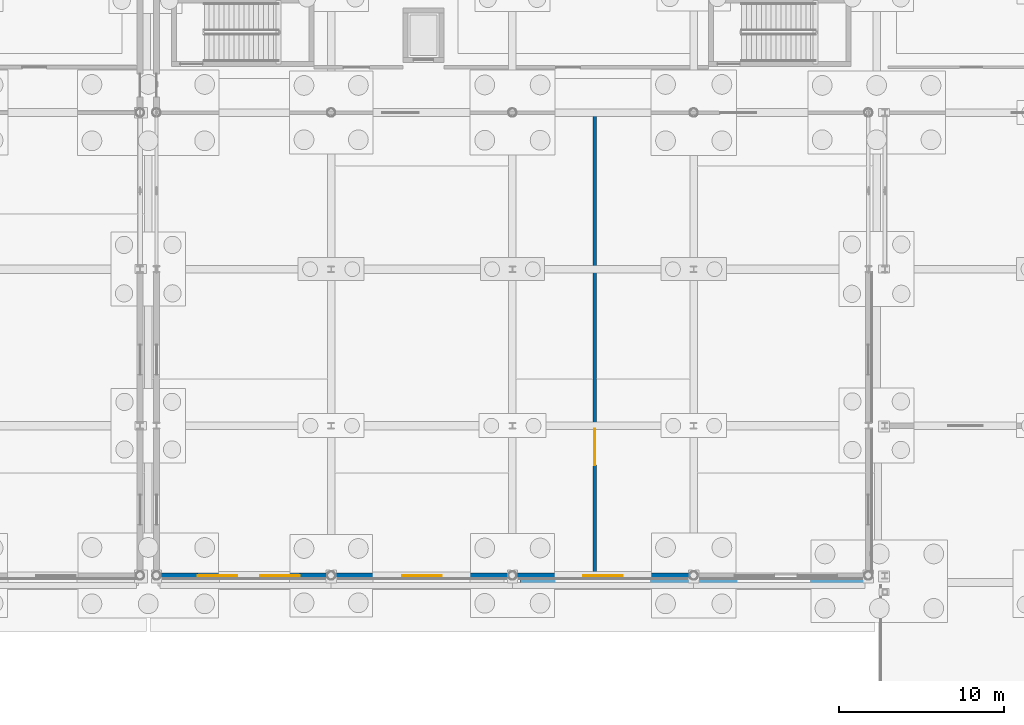
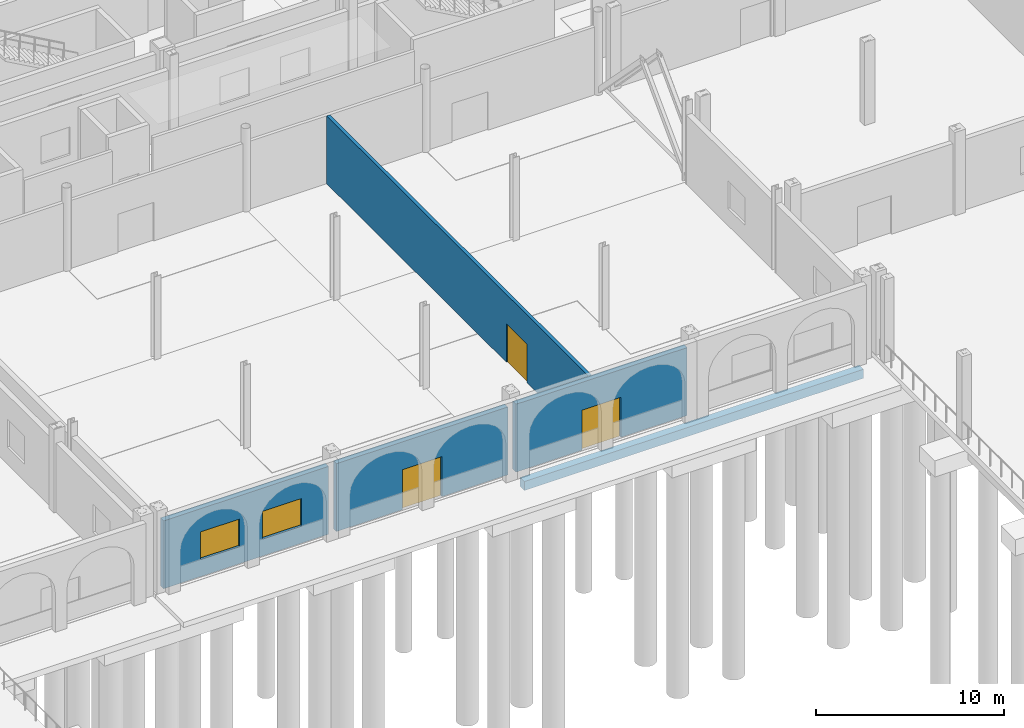
# One storey, part 52 of 83: 5 walls, 3 doors, 2 windows, 5 openings.
"""IFC4 building model written with IfcOpenShell, lengths in metres."""

from ifc_helpers import new_model, si_unit, direction, frame, frame_2d, origin, place, context, subcontext, project, spatial, rectangle, extrude, material, layer, layer_set, type_object, element, fill, save


model = new_model("IFC4")

# Units and contexts
model_context = context("Model", 3, precision=1e-05, world=origin(), true_north=direction((0.0, 1.0)))
body_context = subcontext(model_context, "Body", "Model", "MODEL_VIEW")
ifc_project = project(units=[si_unit("LENGTHUNIT", "METRE"), si_unit("AREAUNIT", "SQUARE_METRE"), si_unit("VOLUMEUNIT", "CUBIC_METRE"), si_unit("PLANEANGLEUNIT", "RADIAN"), si_unit("MASSUNIT", "GRAM", prefix="KILO")], contexts=[model_context])

# Site, building, storey
site_placement = place(None, origin())
site = spatial("IfcSite", under=ifc_project, at=site_placement, CompositionType="ELEMENT")
building_placement = place(site_placement, origin())
building = spatial("IfcBuilding", under=site, at=building_placement, Name="Caurita Quay Ferry Terminal", CompositionType="ELEMENT")
storey_placement = place(building_placement, origin())
storey = spatial("IfcBuildingStorey", under=building, at=storey_placement, Name="L00", CompositionType="ELEMENT", Elevation=0.0)

# Wall, opening, door
ifc_material_1 = material(Name="Warm-white lime stucco masonry", Category="masonry")
ifc_layer_1 = layer(ifc_material_1, 0.199951171875, Name="Interior partitioning wall 200 mm")
ifc_layer_set_1 = layer_set([ifc_layer_1], Name="Warm-white lime stucco masonry")
wall_type_1 = type_object("IfcWallType", Name="WL-CORR-200", PredefinedType="PARTITIONING", material=ifc_layer_set_1)
wall_1_placement = place(storey_placement, frame((115.199951171875, 34.77490234375, 0.0), z_axis=(0.0, 0.0, 1.0), x_axis=(0.0, 1.0, 0.0)))
wall_1 = element("IfcWall", 1, at=wall_1_placement, inside=storey, type_object=wall_type_1, Name="L00 Interior Partition IW-L00-013", PredefinedType="PARTITIONING", context=body_context, shape_type="SweptSolid", body=[
    extrude(rectangle(XDim=27.820068359375, YDim=0.199951171875, at=frame_2d((13.91015625, 0.0))), origin(), (0.0, 0.0, 1.0), 4.401611328125),
])
opening_1_placement = place(wall_1_placement, frame((6.52490234375, 0.0, 0.0)))
opening_1 = element("IfcOpeningElement", 2, at=opening_1_placement, cuts=wall_1, Name="Opening ID-01", PredefinedType="OPENING", context=body_context, shape_type="SweptSolid", body=[
    extrude(rectangle(XDim=2.199951171875, YDim=2.5, at=frame_2d((1.10009765625, 1.25))), frame((0.0, 0.10986328125, 0.0), z_axis=(0.0, -1.0, 0.0), x_axis=(1.0, 0.0, 0.0)), (0.0, 0.0, 1.0), 0.219970703125),
])
ifc_material_2 = material(Name="Anodized aluminium 6063-T6", Category="aluminium")
door_type_1 = type_object("IfcDoorType", Name="DR-HALL-2200", OperationType="NOTDEFINED", PredefinedType="DOOR", material=ifc_material_2)
door_1_placement = place(opening_1_placement, origin())
door_1 = element("IfcDoor", 3, at=door_1_placement, inside=storey, type_object=door_type_1, Name="Baggage Claim to Customs Hall Door", OperationType="SINGLE_SWING_LEFT", OverallHeight=2.5, OverallWidth=2.199951171875, PredefinedType="DOOR", context=body_context, shape_type="SweptSolid", body=[
    extrude(rectangle(XDim=2.199951171875, YDim=2.5, at=frame_2d((1.10009765625, 1.25))), frame((0.0, 0.02490234375, 0.0), z_axis=(0.0, -1.0, 0.0), x_axis=(1.0, 0.0, 0.0)), (0.0, 0.0, 1.0), 0.050048828125),
])
fill(opening_1, door_1)

# Wall, openings, windows
ifc_layer_2 = layer(ifc_material_1, 0.340087890625, Name="Exterior solidwall wall 340 mm")
ifc_layer_set_2 = layer_set([ifc_layer_2], Name="Warm-white lime stucco masonry")
wall_type_2 = type_object("IfcWallType", Name="WL-EXT-340", PredefinedType="SOLIDWALL", material=ifc_layer_set_2)
wall_2_placement = place(storey_placement, frame((88.845947265625, 34.60009765625, 0.0), z_axis=(0.0, 0.0, 1.0), x_axis=(1.0, 0.0, 0.0)))
wall_2 = element("IfcWall", 4, at=wall_2_placement, inside=storey, type_object=wall_type_2, Name="L00 Exterior Wall EW-L00-166", PredefinedType="SOLIDWALL", context=body_context, shape_type="SweptSolid", body=[
    extrude(rectangle(XDim=10.108154296875, YDim=0.340087890625, at=frame_2d((5.05419921875, 0.0))), origin(), (0.0, 0.0, 1.0), 4.401611328125),
])
opening_2_placement = place(wall_2_placement, frame((2.25390625, 0.0, 1.10009765625)))
opening_2 = element("IfcOpeningElement", 5, at=opening_2_placement, cuts=wall_2, Name="Opening W-13", PredefinedType="OPENING", context=body_context, shape_type="SweptSolid", body=[
    extrude(rectangle(XDim=2.39990234375, YDim=1.800048828125, at=frame_2d((1.199951171875, 0.89990234375))), frame((0.0, 0.179931640625, 0.0), z_axis=(0.0, -1.0, 0.0), x_axis=(1.0, 0.0, 0.0)), (0.0, 0.0, 1.0), 0.360107421875),
])
opening_3_placement = place(wall_2_placement, frame((6.053955078125, 0.0, 1.10009765625)))
opening_3 = element("IfcOpeningElement", 6, at=opening_3_placement, cuts=wall_2, Name="Opening W-13", PredefinedType="OPENING", context=body_context, shape_type="SweptSolid", body=[
    extrude(rectangle(XDim=2.39990234375, YDim=1.800048828125, at=frame_2d((1.199951171875, 0.89990234375))), frame((0.0, 0.179931640625, 0.0), z_axis=(0.0, -1.0, 0.0), x_axis=(1.0, 0.0, 0.0)), (0.0, 0.0, 1.0), 0.360107421875),
])
ifc_material_3 = material(Name="Laminated solar-control insulated glass", Category="glass")
window_type = type_object("IfcWindowType", Name="WIN-SC-2418", PartitioningType="SINGLE_PANEL", PredefinedType="WINDOW", material=ifc_material_3)
window_1_placement = place(opening_2_placement, origin())
window_1 = element("IfcWindow", 7, at=window_1_placement, inside=storey, type_object=window_type, Name="L00 Casement Window WN-L00-247", OverallHeight=1.800048828125, OverallWidth=2.39990234375, PartitioningType="SINGLE_PANEL", PredefinedType="WINDOW", context=body_context, shape_type="SweptSolid", body=[
    extrude(rectangle(XDim=2.39990234375, YDim=1.800048828125, at=frame_2d((1.199951171875, 0.89990234375))), frame((0.0, 0.030029296875, 0.0), z_axis=(0.0, -1.0, 0.0), x_axis=(1.0, 0.0, 0.0)), (0.0, 0.0, 1.0), 0.06005859375),
])
fill(opening_2, window_1)
window_2_placement = place(opening_3_placement, origin())
window_2 = element("IfcWindow", 8, at=window_2_placement, inside=storey, type_object=window_type, Name="L00 Casement Window WN-L00-248", OverallHeight=1.800048828125, OverallWidth=2.39990234375, PartitioningType="SINGLE_PANEL", PredefinedType="WINDOW", context=body_context, shape_type="SweptSolid", body=[
    extrude(rectangle(XDim=2.39990234375, YDim=1.800048828125, at=frame_2d((1.199951171875, 0.89990234375))), frame((0.0, 0.030029296875, 0.0), z_axis=(0.0, -1.0, 0.0), x_axis=(1.0, 0.0, 0.0)), (0.0, 0.0, 1.0), 0.06005859375),
])
fill(opening_3, window_2)

# Wall, opening, door
wall_3_placement = place(storey_placement, frame((99.446044921875, 34.60009765625, 0.0), z_axis=(0.0, 0.0, 1.0), x_axis=(1.0, 0.0, 0.0)))
wall_3 = element("IfcWall", 9, at=wall_3_placement, inside=storey, type_object=wall_type_2, Name="L00 Exterior Wall EW-L00-167", PredefinedType="SOLIDWALL", context=body_context, shape_type="SweptSolid", body=[
    extrude(rectangle(XDim=10.508056640625, YDim=0.340087890625, at=frame_2d((5.25390625, 0.0))), origin(), (0.0, 0.0, 1.0), 4.401611328125),
])
opening_4_placement = place(wall_3_placement, frame((4.053955078125, 0.0, 0.0)))
opening_4 = element("IfcOpeningElement", 10, at=opening_4_placement, cuts=wall_3, Name="Opening ED-01", PredefinedType="OPENING", context=body_context, shape_type="SweptSolid", body=[
    extrude(rectangle(XDim=2.39990234375, YDim=2.60009765625, at=frame_2d((1.199951171875, 1.300048828125))), frame((0.0, 0.179931640625, 0.0), z_axis=(0.0, -1.0, 0.0), x_axis=(1.0, 0.0, 0.0)), (0.0, 0.0, 1.0), 0.360107421875),
])
door_type_2 = type_object("IfcDoorType", Name="DR-EXT-2426", OperationType="NOTDEFINED", PredefinedType="DOOR", material=ifc_material_2)
door_2_placement = place(opening_4_placement, frame((2.39990234375, 0.0, 0.0), z_axis=(0.0, 0.0, 1.0), x_axis=(-1.0, 0.0, 0.0)))
door_2 = element("IfcDoor", 11, at=door_2_placement, inside=storey, type_object=door_type_2, Name="Arrivals Quay Exit Door ED-AQ2", OperationType="SINGLE_SWING_LEFT", OverallHeight=2.60009765625, OverallWidth=2.39990234375, PredefinedType="DOOR", context=body_context, shape_type="SweptSolid", body=[
    extrude(rectangle(XDim=2.39990234375, YDim=2.60009765625, at=frame_2d((1.199951171875, 1.300048828125))), frame((0.0, 0.02490234375, 0.0), z_axis=(0.0, -1.0, 0.0), x_axis=(1.0, 0.0, 0.0)), (0.0, 0.0, 1.0), 0.050048828125),
])
fill(opening_4, door_2)

wall_4_placement = place(storey_placement, frame((110.446044921875, 34.60009765625, 0.0), z_axis=(0.0, 0.0, 1.0), x_axis=(1.0, 0.0, 0.0)))
wall_4 = element("IfcWall", 12, at=wall_4_placement, inside=storey, type_object=wall_type_2, Name="L00 Exterior Wall EW-L00-168", PredefinedType="SOLIDWALL", context=body_context, shape_type="SweptSolid", body=[
    extrude(rectangle(XDim=10.508056640625, YDim=0.340087890625, at=frame_2d((5.25390625, 0.0))), origin(), (0.0, 0.0, 1.0), 4.401611328125),
])
opening_5_placement = place(wall_4_placement, frame((4.053955078125, 0.0, 0.0)))
opening_5 = element("IfcOpeningElement", 13, at=opening_5_placement, cuts=wall_4, Name="Opening ED-01", PredefinedType="OPENING", context=body_context, shape_type="SweptSolid", body=[
    extrude(rectangle(XDim=2.39990234375, YDim=2.60009765625, at=frame_2d((1.199951171875, 1.300048828125))), frame((0.0, 0.179931640625, 0.0), z_axis=(0.0, -1.0, 0.0), x_axis=(1.0, 0.0, 0.0)), (0.0, 0.0, 1.0), 0.360107421875),
])
door_3_placement = place(opening_5_placement, frame((2.39990234375, 0.0, 0.0), z_axis=(0.0, 0.0, 1.0), x_axis=(-1.0, 0.0, 0.0)))
door_3 = element("IfcDoor", 14, at=door_3_placement, inside=storey, type_object=door_type_2, Name="Arrivals Quay Exit Door ED-AQ3", OperationType="SINGLE_SWING_RIGHT", OverallHeight=2.60009765625, OverallWidth=2.39990234375, PredefinedType="DOOR", context=body_context, shape_type="SweptSolid", body=[
    extrude(rectangle(XDim=2.39990234375, YDim=2.60009765625, at=frame_2d((1.199951171875, 1.300048828125))), frame((0.0, 0.02490234375, 0.0), z_axis=(0.0, -1.0, 0.0), x_axis=(1.0, 0.0, 0.0)), (0.0, 0.0, 1.0), 0.050048828125),
])
fill(opening_5, door_3)

# Wall
ifc_material_4 = material(Name="Marine reinforced concrete C40/50", Category="concrete")
ifc_layer_3 = layer(ifc_material_4, 0.4599609375, Name="Exterior userdefined wall 460 mm")
ifc_layer_set_3 = layer_set([ifc_layer_3], Name="Marine reinforced concrete C40/50")
wall_type_3 = type_object("IfcWallType", Name="WL-RET-460", PredefinedType="USERDEFINED", material=ifc_layer_set_3)
wall_5_placement = place(storey_placement, frame((110.699951171875, 34.199951171875, -1.0), z_axis=(0.0, 0.0, 1.0), x_axis=(1.0, 0.0, 0.0)))
element("IfcWall", 15, at=wall_5_placement, inside=storey, type_object=wall_type_3, Name="Quay Perimeter Retaining Seawall 05", ObjectType="RETAINING WALL", PredefinedType="USERDEFINED", context=body_context, shape_type="SweptSolid", body=[
    extrude(rectangle(XDim=20.800048828125, YDim=0.4599609375, at=frame_2d((10.39990234375, 0.0))), origin(), (0.0, 0.0, 1.0), 0.580078125),
])

save(model, "model.ifc")
